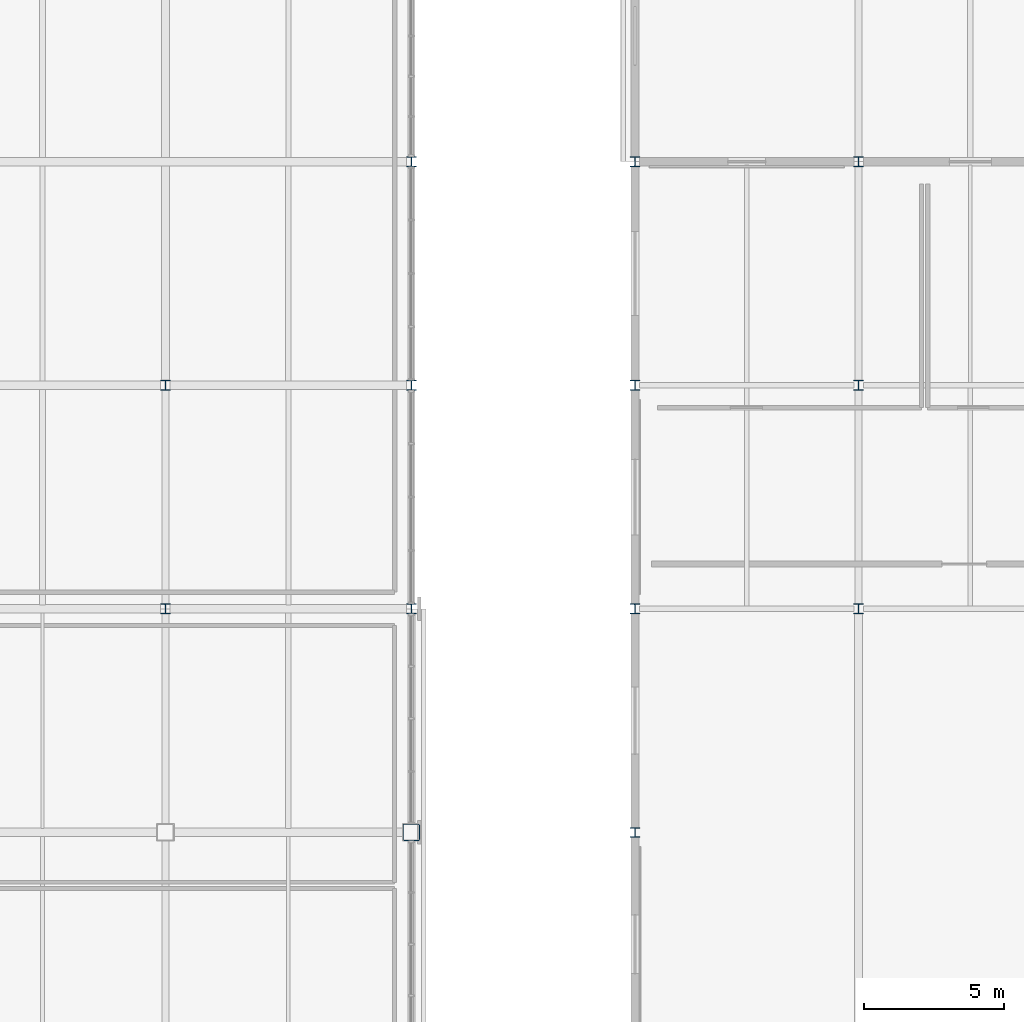
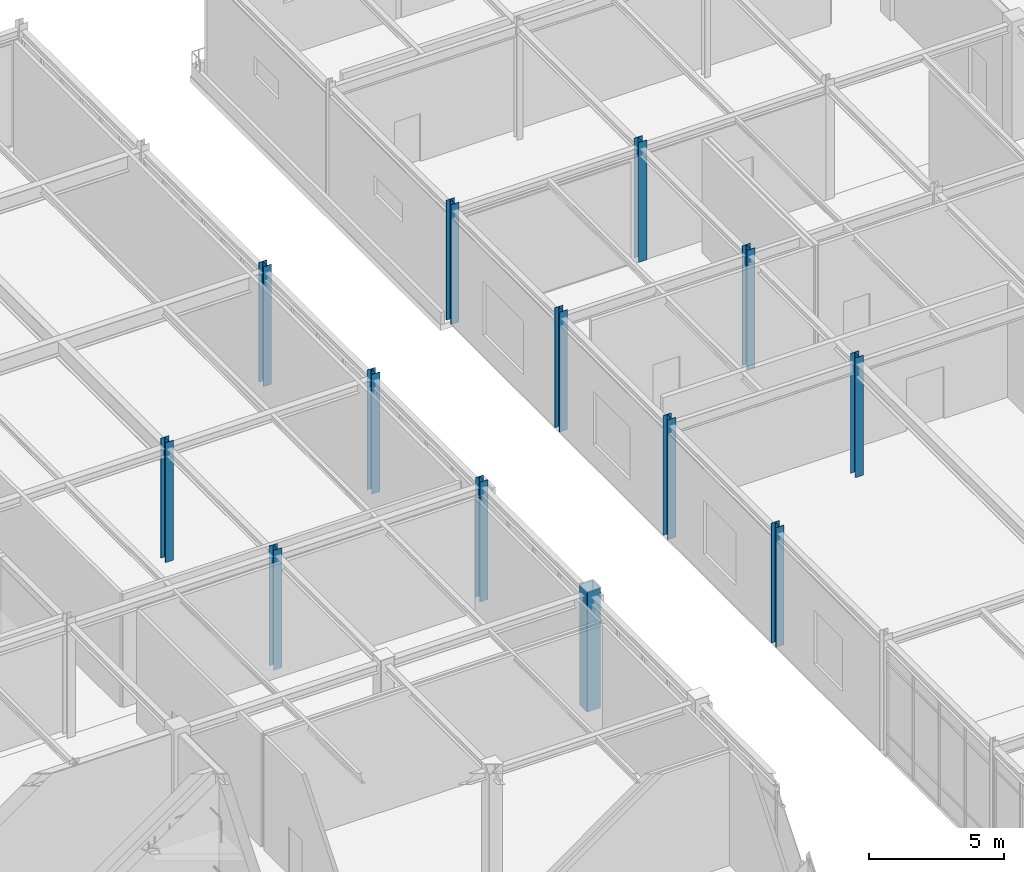
# One storey, part 10 of 108: 13 columns.
"""IFC4 building model written with IfcOpenShell, lengths in metres."""

from ifc_helpers import new_model, si_unit, direction, frame, origin, origin_2d, place, context, subcontext, project, spatial, hollow_rectangle, i_section, extrude, material, material_profile, profile_set, type_object, element, save


model = new_model("IFC4")

# Units and contexts
model_context = context("Model", 3, precision=1e-05, world=origin(), true_north=direction((0.0, 1.0)))
body_context = subcontext(model_context, "Body", "Model", "MODEL_VIEW")
ifc_project = project(units=[si_unit("LENGTHUNIT", "METRE"), si_unit("AREAUNIT", "SQUARE_METRE"), si_unit("VOLUMEUNIT", "CUBIC_METRE"), si_unit("PLANEANGLEUNIT", "RADIAN"), si_unit("MASSUNIT", "GRAM", prefix="KILO")], contexts=[model_context])

# Site, building, storey
site_placement = place(None, origin())
site = spatial("IfcSite", under=ifc_project, at=site_placement, CompositionType="ELEMENT")
building_placement = place(site_placement, origin())
building = spatial("IfcBuilding", under=site, at=building_placement, Name="Zhaolan Boulevard Law Courts", CompositionType="ELEMENT")
storey_placement = place(building_placement, frame((0.0, 0.0, 10.800048828125)))
storey = spatial("IfcBuildingStorey", under=building, at=storey_placement, Name="L02", CompositionType="ELEMENT", Elevation=10.800048828125)

# Columns
ifc_material_1 = material(Name="Structural steel Q390B", Category="steel")
ifc_material_profile_1 = material_profile(ifc_material_1, hollow_rectangle(XDim=0.60009765625, YDim=0.60009765625, WallThickness=0.02392578125, InnerFilletRadius=0.02392578125, OuterFilletRadius=0.048095703125, at=origin_2d()), Name="BOX600x600x24")
ifc_profile_set_1 = profile_set([ifc_material_profile_1], Name="Structural steel Q390B")
column_type_1 = type_object("IfcColumnType", Name="COL BOX600", PredefinedType="COLUMN", material=ifc_profile_set_1)
column_placement = place(storey_placement, frame((44.0, 70.0, 0.0), z_axis=(0.0, 0.0, 1.0), x_axis=(1.0, 0.0, 0.0)))
element("IfcColumn", 1, at=column_placement, inside=storey, type_object=column_type_1, Name="Column C-6K (L02)", PredefinedType="COLUMN", context=body_context, shape_type="SweptSolid", body=[
    extrude(hollow_rectangle(XDim=0.60009765625, YDim=0.60009765625, WallThickness=0.02392578125, InnerFilletRadius=0.02392578125, OuterFilletRadius=0.048095703125, at=origin_2d()), origin(), (0.0, 0.0, 1.0), 5.39990234375),
])
ifc_material_2 = material(Name="Structural steel Q355B", Category="steel")
ifc_material_profile_2 = material_profile(ifc_material_2, i_section(OverallWidth=0.35009765625, OverallDepth=0.35009765625, WebThickness=0.011962890625, FlangeThickness=0.01904296875, FilletRadius=0.02001953125, at=origin_2d()), Name="HW350x350")
ifc_profile_set_2 = profile_set([ifc_material_profile_2], Name="Structural steel Q355B")
column_type_2 = type_object("IfcColumnType", Name="COL HW350", PredefinedType="COLUMN", material=ifc_profile_set_2)
for number, where, z_axis, x_axis, name in (
    (2, (35.199951171875, 78.0, 0.0), (0.0, 0.0, 1.0), (1.0, 0.0, 0.0), "Column C-5L (L02)"),
    (3, (35.199951171875, 86.0, 0.0), (0.0, 0.0, 1.0), (1.0, 0.0, 0.0), "Column C-5M (L02)"),
    (4, (44.0, 78.0, 0.0), (0.0, 0.0, 1.0), (1.0, 0.0, 0.0), "Column C-6L (L02)"),
    (5, (44.0, 86.0, 0.0), (0.0, 0.0, 1.0), (1.0, 0.0, 0.0), "Column C-6M (L02)"),
    (6, (44.0, 94.0, 0.0), (0.0, 0.0, 1.0), (1.0, 0.0, 0.0), "Column C-6N (L02)"),
    (7, (52.0, 70.0, 0.0), (0.0, 0.0, 1.0), (1.0, 0.0, 0.0), "Column C-7K (L02)"),
    (8, (52.0, 78.0, 0.0), (0.0, 0.0, 1.0), (1.0, 0.0, 0.0), "Column C-7L (L02)"),
    (9, (52.0, 86.0, 0.0), (0.0, 0.0, 1.0), (1.0, 0.0, 0.0), "Column C-7M (L02)"),
    (10, (52.0, 94.0, 0.0), (0.0, 0.0, 1.0), (1.0, 0.0, 0.0), "Column C-7N (L02)"),
    (11, (60.0, 78.0, 0.0), (0.0, 0.0, 1.0), (1.0, 0.0, 0.0), "Column C-8L (L02)"),
    (12, (60.0, 86.0, 0.0), (0.0, 0.0, 1.0), (1.0, 0.0, 0.0), "Column C-8M (L02)"),
    (13, (60.0, 94.0, 0.0), (0.0, 0.0, 1.0), (1.0, 0.0, 0.0), "Column C-8N (L02)"),
):
    element("IfcColumn", number, at=place(storey_placement, frame(where, z_axis=z_axis, x_axis=x_axis)), inside=storey, type_object=column_type_2, Name=name, PredefinedType="COLUMN", context=body_context, shape_type="SweptSolid", body=[
        extrude(i_section(OverallWidth=0.35009765625, OverallDepth=0.35009765625, WebThickness=0.011962890625, FlangeThickness=0.01904296875, FilletRadius=0.02001953125, at=origin_2d()), origin(), (0.0, 0.0, 1.0), 5.39990234375),
    ])

save(model, "model.ifc")
